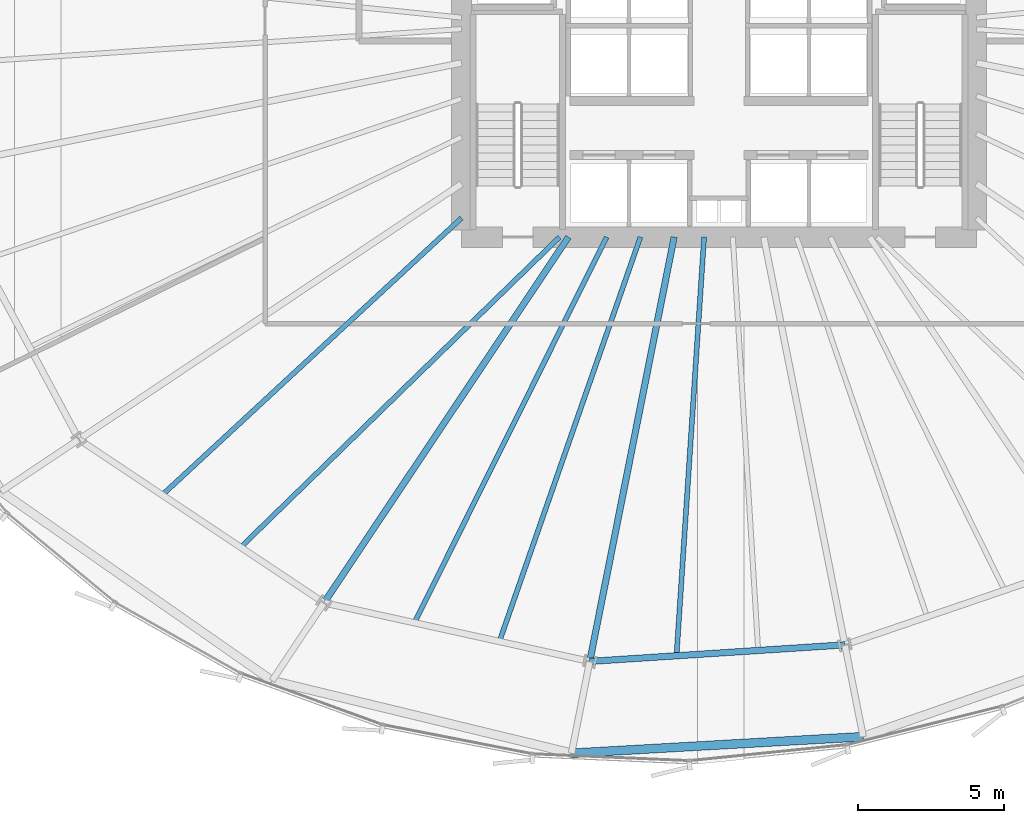
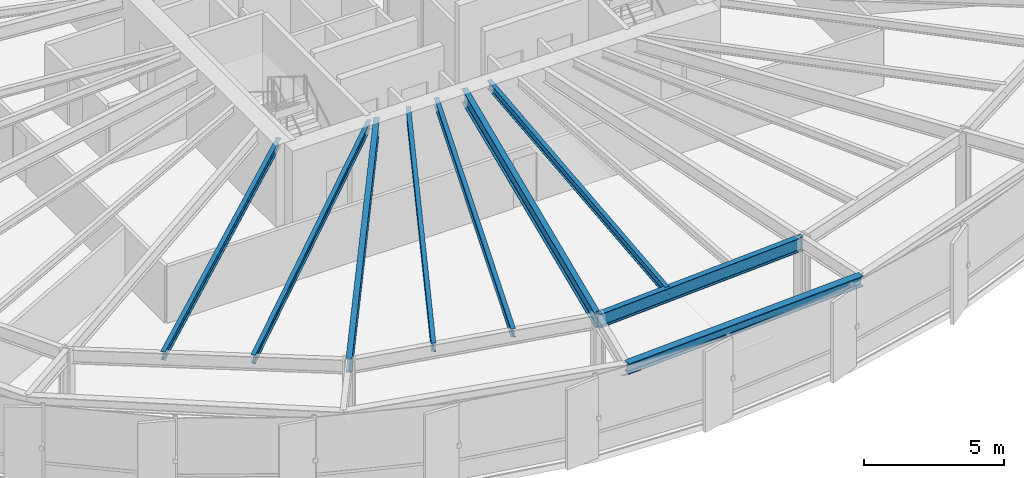
# One storey, part 5 of 35: 9 beams.
"""IFC4 building model written with IfcOpenShell, lengths in metres."""

from ifc_helpers import new_model, si_unit, direction, frame, origin, origin_2d, place, context, subcontext, project, spatial, i_section, extrude, source, transform, mapped, material, material_profile, profile_set, type_object, element, save


model = new_model("IFC4")

# Units and contexts
model_context = context("Model", 3, precision=1e-05, world=origin(), true_north=direction((0.0, 1.0)))
body_context = subcontext(model_context, "Body", "Model", "MODEL_VIEW")
ifc_project = project(units=[si_unit("LENGTHUNIT", "METRE"), si_unit("AREAUNIT", "SQUARE_METRE"), si_unit("VOLUMEUNIT", "CUBIC_METRE"), si_unit("PLANEANGLEUNIT", "RADIAN"), si_unit("MASSUNIT", "GRAM", prefix="KILO"), si_unit("THERMODYNAMICTEMPERATUREUNIT", "KELVIN")], contexts=[model_context])

# Site, building, storey
site_placement = place(None, origin())
site = spatial("IfcSite", under=ifc_project, at=site_placement, CompositionType="ELEMENT")
building_placement = place(site_placement, origin())
building = spatial("IfcBuilding", under=site, at=building_placement, Name="Kethvar Cultural Tower", CompositionType="ELEMENT")
storey_placement = place(building_placement, frame((0.0, 0.0, 71.39990234375)))
storey = spatial("IfcBuildingStorey", under=building, at=storey_placement, Name="L17", CompositionType="ELEMENT", Elevation=71.39990234375)

# Beams
ifc_material = material(Name="Steel S355J2", Category="steel")
ifc_material_profile_1 = material_profile(ifc_material, i_section(OverallWidth=0.219970703125, OverallDepth=0.60009765625, WebThickness=0.011962890625, FlangeThickness=0.01904296875, FilletRadius=0.02392578125, at=origin_2d()), Name="Steel S355J2 — IPE600")
ifc_profile_set_1 = profile_set([ifc_material_profile_1], Name="Steel S355J2 — IPE600")
beam_type_1 = type_object("IfcBeamType", Name="BM-IPE600", PredefinedType="BEAM", material=ifc_profile_set_1)
shared_shape_1 = source(origin(), body_context, "Body", "SweptSolid", [
    extrude(i_section(OverallWidth=0.219970703125, OverallDepth=0.60009765625, WebThickness=0.011962890625, FlangeThickness=0.01904296875, FilletRadius=0.02392578125, at=origin_2d()), origin(), (0.0, 0.0, 1.0), 15.03515625),
])
beam_1_placement = place(storey_placement, frame((41.655029296875, 20.10009765625, 3.238037109375), z_axis=(-0.555569254616, -0.83147026605, 0.0), x_axis=(0.83147026605, -0.555569254616, 0.0)))
element("IfcBeam", 1, at=beam_1_placement, inside=storey, type_object=beam_type_1, Name="L17 Primary Radial Beam RB-11", PredefinedType="BEAM", context=body_context, shape_type="MappedRepresentation", body=[
    mapped(shared_shape_1, transform((0.0, 0.0, 0.0), scale=1.0)),
])
shared_shape_2 = source(origin(), body_context, "Body", "SweptSolid", [
    extrude(i_section(OverallWidth=0.219970703125, OverallDepth=0.60009765625, WebThickness=0.011962890625, FlangeThickness=0.01904296875, FilletRadius=0.02392578125, at=origin_2d()), origin(), (0.0, 0.0, 1.0), 14.7880859375),
])
beam_2_placement = place(storey_placement, frame((45.268310546875, 20.10009765625, 3.238037109375), z_axis=(-0.1950905456, -0.98078523593, 0.0), x_axis=(0.98078523593, -0.1950905456, 0.0)))
element("IfcBeam", 2, at=beam_2_placement, inside=storey, type_object=beam_type_1, Name="L17 Primary Radial Beam RB-12", PredefinedType="BEAM", context=body_context, shape_type="MappedRepresentation", body=[
    mapped(shared_shape_2, transform((0.0, 0.0, 0.0), scale=1.0)),
])
ifc_material_profile_2 = material_profile(ifc_material, i_section(OverallWidth=0.169921875, OverallDepth=0.360107421875, WebThickness=0.008056640625, FlangeThickness=0.0126953125, FilletRadius=0.01806640625, at=origin_2d()), Name="Steel S355J2 — IPE360")
ifc_profile_set_2 = profile_set([ifc_material_profile_2], Name="Steel S355J2 — IPE360")
beam_type_2 = type_object("IfcBeamType", Name="BM-J360", PredefinedType="JOIST", material=ifc_profile_set_2)
shared_shape_3 = source(origin(), body_context, "Body", "SweptSolid", [
    extrude(i_section(OverallWidth=0.169921875, OverallDepth=0.360107421875, WebThickness=0.008056640625, FlangeThickness=0.0126953125, FilletRadius=0.01806640625, at=origin_2d()), origin(), (0.0, 0.0, 1.0), 13.93505859375),
])
beam_3_placement = place(storey_placement, frame((38.0, 20.75, 3.358154296875), z_axis=(-0.733909459287, -0.679247308106, 0.0), x_axis=(0.679247308106, -0.733909459287, 0.0)))
element("IfcBeam", 3, at=beam_3_placement, inside=storey, type_object=beam_type_2, Name="L17 Composite Floor Joist J-10A", PredefinedType="JOIST", context=body_context, shape_type="MappedRepresentation", body=[
    mapped(shared_shape_3, transform((0.0, 0.0, 0.0), scale=1.0)),
])
shared_shape_4 = source(origin(), body_context, "Body", "SweptSolid", [
    extrude(i_section(OverallWidth=0.169921875, OverallDepth=0.360107421875, WebThickness=0.008056640625, FlangeThickness=0.0126953125, FilletRadius=0.01806640625, at=origin_2d()), origin(), (0.0, 0.0, 1.0), 15.20361328125),
])
beam_4_placement = place(storey_placement, frame((41.35009765625, 20.10009765625, 3.358154296875), z_axis=(-0.716707709325, -0.697373687053, 0.0), x_axis=(0.697373687053, -0.716707709325, 0.0)))
element("IfcBeam", 4, at=beam_4_placement, inside=storey, type_object=beam_type_2, Name="L17 Composite Floor Joist J-10B", PredefinedType="JOIST", context=body_context, shape_type="MappedRepresentation", body=[
    mapped(shared_shape_4, transform((0.0, 0.0, 0.0), scale=1.0)),
])
shared_shape_5 = source(origin(), body_context, "Body", "SweptSolid", [
    extrude(i_section(OverallWidth=0.169921875, OverallDepth=0.360107421875, WebThickness=0.008056640625, FlangeThickness=0.0126953125, FilletRadius=0.01806640625, at=origin_2d()), origin(), (0.0, 0.0, 1.0), 14.729248046875),
])
beam_5_placement = place(storey_placement, frame((42.961181640625, 20.10009765625, 3.358154296875), z_axis=(-0.446152473361, -0.894956965733, 0.0), x_axis=(0.894956965733, -0.446152473361, 0.0)))
element("IfcBeam", 5, at=beam_5_placement, inside=storey, type_object=beam_type_2, Name="L17 Composite Floor Joist J-11A", PredefinedType="JOIST", context=body_context, shape_type="MappedRepresentation", body=[
    mapped(shared_shape_5, transform((0.0, 0.0, 0.0), scale=1.0)),
])
shared_shape_6 = source(origin(), body_context, "Body", "SweptSolid", [
    extrude(i_section(OverallWidth=0.169921875, OverallDepth=0.360107421875, WebThickness=0.008056640625, FlangeThickness=0.0126953125, FilletRadius=0.01806640625, at=origin_2d()), origin(), (0.0, 0.0, 1.0), 14.63916015625),
])
beam_6_placement = place(storey_placement, frame((44.115234375, 20.10009765625, 3.358154296875), z_axis=(-0.329226238223, -0.94425107046, 0.0), x_axis=(0.94425107046, -0.329226238223, 0.0)))
element("IfcBeam", 6, at=beam_6_placement, inside=storey, type_object=beam_type_2, Name="L17 Composite Floor Joist J-11B", PredefinedType="JOIST", context=body_context, shape_type="MappedRepresentation", body=[
    mapped(shared_shape_6, transform((0.0, 0.0, 0.0), scale=1.0)),
])
shared_shape_7 = source(origin(), body_context, "Body", "SweptSolid", [
    extrude(i_section(OverallWidth=0.219970703125, OverallDepth=0.60009765625, WebThickness=0.011962890625, FlangeThickness=0.01904296875, FilletRadius=0.02392578125, at=origin_2d()), origin(), (0.0, 0.0, 1.0), 8.739013671875),
])
beam_7_placement = place(storey_placement, frame((42.38330078125, 5.59619140625, 3.238037109375), z_axis=(0.997897424084, 0.064813046581, 0.0), x_axis=(-0.064813046581, 0.997897424084, 0.0)))
element("IfcBeam", 7, at=beam_7_placement, inside=storey, type_object=beam_type_1, Name="L17 Column Ring Tie Beam CR-12", PredefinedType="BEAM", context=body_context, shape_type="MappedRepresentation", body=[
    mapped(shared_shape_7, transform((0.0, 0.0, 0.0), scale=1.0)),
])
ifc_material_profile_3 = material_profile(ifc_material, i_section(OverallWidth=0.300048828125, OverallDepth=0.449951171875, WebThickness=0.013916015625, FlangeThickness=0.02587890625, FilletRadius=0.027099609375, at=origin_2d()), Name="Steel S355J2 — HEB450")
ifc_profile_set_3 = profile_set([ifc_material_profile_3], Name="Steel S355J2 — HEB450")
beam_type_3 = type_object("IfcBeamType", Name="BM-SP450", PredefinedType="SPANDREL", material=ifc_profile_set_3)
shared_shape_8 = source(origin(), body_context, "Body", "SweptSolid", [
    extrude(i_section(OverallWidth=0.300048828125, OverallDepth=0.449951171875, WebThickness=0.013916015625, FlangeThickness=0.02587890625, FilletRadius=0.027099609375, at=origin_2d()), origin(), (0.0, 0.0, 1.0), 9.9853515625),
])
beam_8_placement = place(storey_placement, frame((41.759033203125, 2.45751953125, 3.31298828125), z_axis=(0.998388517249, 0.056748291829, 0.0), x_axis=(-0.056748291829, 0.998388517249, 0.0)))
element("IfcBeam", 8, at=beam_8_placement, inside=storey, type_object=beam_type_3, Name="L17 Perimeter Spandrel Beam SP-12", PredefinedType="SPANDREL", context=body_context, shape_type="MappedRepresentation", body=[
    mapped(shared_shape_8, transform((0.0, 0.0, 0.0), scale=1.0)),
])
shared_shape_9 = source(origin(), body_context, "Body", "SweptSolid", [
    extrude(i_section(OverallWidth=0.169921875, OverallDepth=0.360107421875, WebThickness=0.008056640625, FlangeThickness=0.0126953125, FilletRadius=0.01806640625, at=origin_2d()), origin(), (0.0, 0.0, 1.0), 14.34228515625),
])
beam_9_placement = place(storey_placement, frame((46.292236328125, 20.10009765625, 3.358154296875), z_axis=(-0.065808348808, -0.997832281111, 0.0), x_axis=(0.997832281111, -0.065808348808, 0.0)))
element("IfcBeam", 9, at=beam_9_placement, inside=storey, type_object=beam_type_2, Name="L17 Composite Floor Joist J-12A", PredefinedType="JOIST", context=body_context, shape_type="MappedRepresentation", body=[
    mapped(shared_shape_9, transform((0.0, 0.0, 0.0), scale=1.0)),
])

save(model, "model.ifc")
